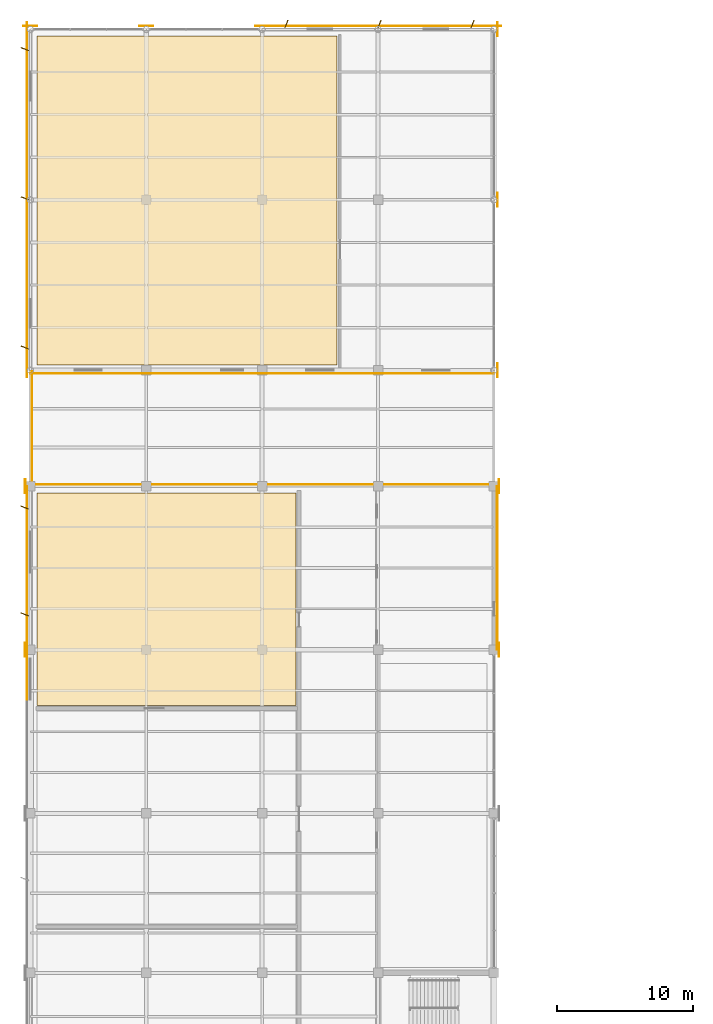
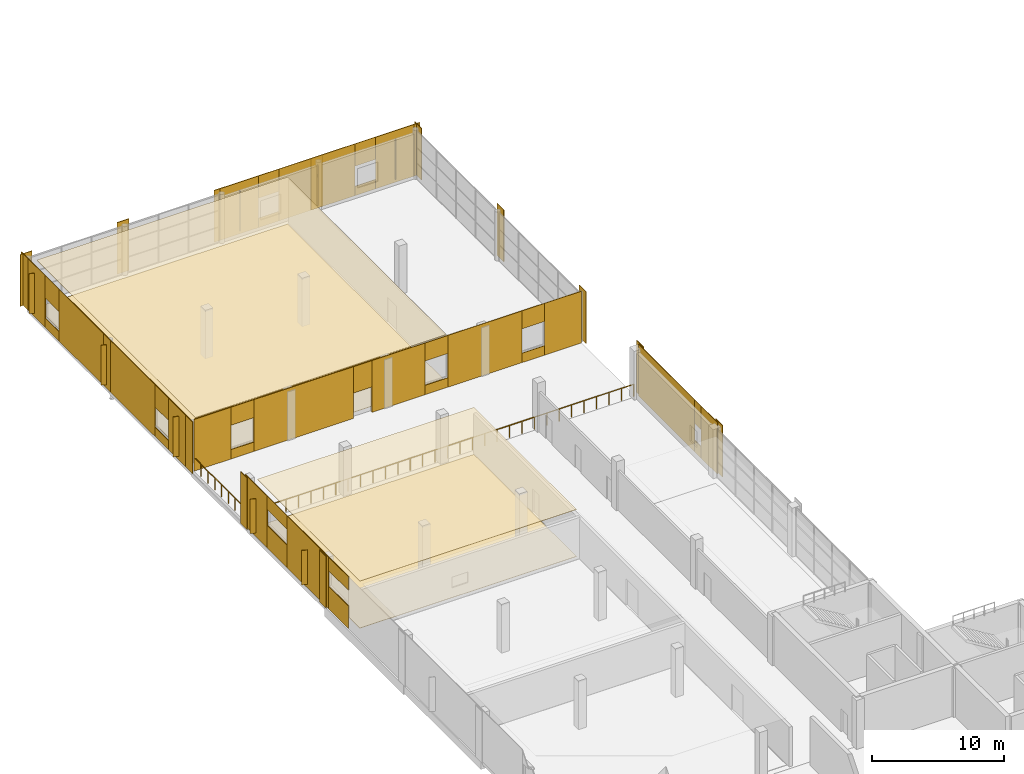
# One storey, part 97 of 101: 63 coverings, 1 railing.
"""IFC4 building model written with IfcOpenShell, lengths in metres."""

from ifc_helpers import new_model, si_unit, direction, frame, origin, origin_2d, place, context, subcontext, project, spatial, polyline, rectangle, circle, outline, extrude, material, layer, layer_set, type_object, element, save


model = new_model("IFC4")

# Units and contexts
model_context = context("Model", 3, precision=1e-05, world=origin(), true_north=direction((0.0, 1.0)))
body_context = subcontext(model_context, "Body", "Model", "MODEL_VIEW")
ifc_project = project(units=[si_unit("LENGTHUNIT", "METRE"), si_unit("AREAUNIT", "SQUARE_METRE"), si_unit("VOLUMEUNIT", "CUBIC_METRE"), si_unit("PLANEANGLEUNIT", "RADIAN"), si_unit("MASSUNIT", "GRAM", prefix="KILO")], contexts=[model_context])

# Site, building, storey
site_placement = place(None, origin())
site = spatial("IfcSite", under=ifc_project, at=site_placement, CompositionType="ELEMENT")
building_placement = place(site_placement, origin())
building = spatial("IfcBuilding", under=site, at=building_placement, Name="Solvikara Media Centre", CompositionType="ELEMENT")
storey_placement = place(building_placement, frame((0.0, 0.0, 10.199951171875)))
storey = spatial("IfcBuildingStorey", under=building, at=storey_placement, Name="L02", CompositionType="ELEMENT", Elevation=10.199951171875)

# Coverings
ifc_material_1 = material(Name="Perforated acoustic gypsum ceiling board")
ifc_layer_1 = layer(ifc_material_1, 0.0400390625)
ifc_layer_set_1 = layer_set([ifc_layer_1], Name="Perforated acoustic gypsum ceiling board")
covering_type_1 = type_object("IfcCoveringType", Name="CV-01", PredefinedType="CEILING", material=ifc_layer_set_1)
covering_1_placement = place(storey_placement, frame((0.0, 0.0, 4.35009765625)))
element("IfcCovering", 1, at=covering_1_placement, inside=storey, type_object=covering_type_1, Name="CLG-033", PredefinedType="CEILING", context=body_context, shape_type="SweptSolid", body=[
    extrude(outline(polyline([(0.5, 64.39990234375), (19.5, 64.39990234375), (19.5, 80.0), (0.5, 80.0), (0.5, 64.39990234375)])), origin(), (0.0, 0.0, 1.0), 0.0400390625),
])
covering_2_placement = place(storey_placement, frame((0.0, 0.0, 4.35009765625)))
element("IfcCovering", 2, at=covering_2_placement, inside=storey, type_object=covering_type_1, Name="CLG-035", PredefinedType="CEILING", context=body_context, shape_type="SweptSolid", body=[
    extrude(outline(polyline([(0.5, 89.39990234375), (22.5, 89.39990234375), (22.5, 113.5), (0.5, 113.5), (0.5, 89.39990234375)])), origin(), (0.0, 0.0, 1.0), 0.0400390625),
])
ifc_material_2 = material(Name="Polished terrazzo floor finish")
ifc_layer_2 = layer(ifc_material_2, 0.030029296875)
ifc_layer_set_2 = layer_set([ifc_layer_2], Name="Polished terrazzo floor finish")
covering_type_2 = type_object("IfcCoveringType", Name="CV-02", PredefinedType="FLOORING", material=ifc_layer_set_2)
covering_3_placement = place(storey_placement, origin())
element("IfcCovering", 3, at=covering_3_placement, inside=storey, type_object=covering_type_2, Name="FLR-033", PredefinedType="FLOORING", context=body_context, shape_type="SweptSolid", body=[
    extrude(outline(polyline([(0.5, 64.39990234375), (19.5, 64.39990234375), (19.5, 80.0), (0.5, 80.0), (0.5, 64.39990234375)])), origin(), (0.0, 0.0, 1.0), 0.030029296875),
])
covering_4_placement = place(storey_placement, origin())
element("IfcCovering", 4, at=covering_4_placement, inside=storey, type_object=covering_type_2, Name="FLR-035", PredefinedType="FLOORING", context=body_context, shape_type="SweptSolid", body=[
    extrude(outline(polyline([(0.5, 89.39990234375), (22.5, 89.39990234375), (22.5, 113.5), (0.5, 113.5), (0.5, 89.39990234375)])), origin(), (0.0, 0.0, 1.0), 0.030029296875),
])
ifc_material_3 = material(Name="GFRC white mineral architectural rainscreen panel")
ifc_layer_3 = layer(ifc_material_3, 0.050048828125)
ifc_layer_set_3 = layer_set([ifc_layer_3], Name="GFRC white mineral architectural rainscreen panel")
covering_type_3 = type_object("IfcCoveringType", Name="CV-04", PredefinedType="CLADDING", material=ifc_layer_set_3)
for number, where, z_axis, x_axis, name in (
    (5, (-0.375, 68.5, 0.0), (0.0, 0.0, 1.0), (0.0, -1.0, 0.0), "PIL-L02-027"),
    (6, (-0.375, 80.5, 0.0), (0.0, 0.0, 1.0), (0.0, -1.0, 0.0), "PIL-L02-031"),
    (7, (-0.25390625, 89.0, 0.0), (0.0, 0.0, 1.0), (0.0, -1.0, 0.0), "PIL-L02-035"),
    (8, (-0.25390625, 101.5, 0.0), (0.0, 0.0, 1.0), (0.0, -1.0, 0.0), "PIL-L02-038"),
    (9, (-0.25390625, 114.0, 0.0), (0.0, 0.0, 1.0), (0.0, -1.0, 0.0), "PIL-L02-044"),
    (10, (0.0, 114.25390625, 0.0), (0.0, 0.0, 1.0), (-1.0, 0.0, 0.0), "PIL-L02-045"),
    (11, (8.5, 114.25390625, 0.0), (0.0, 0.0, 1.0), (-1.0, 0.0, 0.0), "PIL-L02-053"),
    (12, (17.0, 114.25390625, 0.0), (0.0, 0.0, 1.0), (-1.0, 0.0, 0.0), "PIL-L02-060"),
    (13, (25.5, 114.25390625, 0.0), (0.0, 0.0, 1.0), (-1.0, 0.0, 0.0), "PIL-L02-067"),
    (14, (34.375, 68.5, 0.0), (0.0, 0.0, 1.0), (0.0, 1.0, 0.0), "PIL-L02-075"),
    (15, (34.375, 80.5, 0.0), (0.0, 0.0, 1.0), (0.0, 1.0, 0.0), "PIL-L02-079"),
    (16, (34.25390625, 89.0, 0.0), (0.0, 0.0, 1.0), (0.0, 1.0, 0.0), "PIL-L02-083"),
    (17, (34.25390625, 101.5, 0.0), (0.0, 0.0, 1.0), (0.0, 1.0, 0.0), "PIL-L02-086"),
    (18, (34.25390625, 114.0, 0.0), (0.0, 0.0, 1.0), (0.0, 1.0, 0.0), "PIL-L02-092"),
    (19, (34.0, 114.25390625, 0.0), (0.0, 0.0, 1.0), (-1.0, 0.0, 0.0), "PIL-L02-093"),
):
    element("IfcCovering", number, at=place(storey_placement, frame(where, z_axis=z_axis, x_axis=x_axis)), inside=storey, type_object=covering_type_3, Name=name, PredefinedType="CLADDING", context=body_context, shape_type="SweptSolid", body=[
        extrude(rectangle(XDim=1.0400390625, YDim=0.050048828125, at=origin_2d()), origin(), (0.0, 0.0, 1.0), 4.800048828125),
    ])
covering_5_placement = place(storey_placement, frame((-0.2451171875, 66.330078125, 0.0), z_axis=(0.0, 0.0, 1.0), x_axis=(0.0, 1.0, 0.0)))
element("IfcCovering", 20, at=covering_5_placement, inside=storey, type_object=covering_type_3, Name="L02-V4W-CV-S04", PredefinedType="CLADDING", context=body_context, shape_type="SweptSolid", body=[
    extrude(rectangle(XDim=3.0, YDim=0.050048828125, at=origin_2d()), origin(), (0.0, 0.0, 1.0), 2.090087890625),
])
covering_6_placement = place(storey_placement, frame((-0.2451171875, 66.330078125, 3.550048828125), z_axis=(0.0, 0.0, 1.0), x_axis=(0.0, 1.0, 0.0)))
element("IfcCovering", 21, at=covering_6_placement, inside=storey, type_object=covering_type_3, Name="L02-V4W-CV-H04", PredefinedType="CLADDING", context=body_context, shape_type="SweptSolid", body=[
    extrude(rectangle(XDim=3.0, YDim=0.050048828125, at=origin_2d()), origin(), (0.0, 0.0, 1.0), 1.25),
])
covering_7_placement = place(storey_placement, frame((-0.2451171875, 70.989990234375, 0.0), z_axis=(0.0, 0.0, 1.0), x_axis=(0.0, 1.0, 0.0)))
element("IfcCovering", 22, at=covering_7_placement, inside=storey, type_object=covering_type_3, Name="L02-V4W-CV-F05", PredefinedType="CLADDING", context=body_context, shape_type="SweptSolid", body=[
    extrude(rectangle(XDim=6.320068359375, YDim=0.050048828125, at=origin_2d()), origin(), (0.0, 0.0, 1.0), 4.800048828125),
])
covering_8_placement = place(storey_placement, frame((-0.425048828125, 71.10009765625, 0.35009765625), z_axis=(0.0, 0.0, 1.0), x_axis=(-0.930749810713, 0.3656566557, 0.0)))
element("IfcCovering", 23, at=covering_8_placement, inside=storey, type_object=covering_type_3, Name="L02-V4W-FIN-05", PredefinedType="CLADDING", context=body_context, shape_type="SweptSolid", body=[
    extrude(rectangle(XDim=0.60205078125, YDim=0.050048828125, at=origin_2d()), origin(), (0.0, 0.0, 1.0), 3.179931640625),
])
covering_9_placement = place(storey_placement, frame((-0.2451171875, 75.64990234375, 0.0), z_axis=(0.0, 0.0, 1.0), x_axis=(0.0, 1.0, 0.0)))
element("IfcCovering", 24, at=covering_9_placement, inside=storey, type_object=covering_type_3, Name="L02-V4W-CV-S06", PredefinedType="CLADDING", context=body_context, shape_type="SweptSolid", body=[
    extrude(rectangle(XDim=3.0, YDim=0.050048828125, at=origin_2d()), origin(), (0.0, 0.0, 1.0), 2.090087890625),
])
covering_10_placement = place(storey_placement, frame((-0.2451171875, 75.64990234375, 3.550048828125), z_axis=(0.0, 0.0, 1.0), x_axis=(0.0, 1.0, 0.0)))
element("IfcCovering", 25, at=covering_10_placement, inside=storey, type_object=covering_type_3, Name="L02-V4W-CV-H06", PredefinedType="CLADDING", context=body_context, shape_type="SweptSolid", body=[
    extrude(rectangle(XDim=3.0, YDim=0.050048828125, at=origin_2d()), origin(), (0.0, 0.0, 1.0), 1.25),
])
covering_11_placement = place(storey_placement, frame((-0.2451171875, 78.824951171875, 0.0), z_axis=(0.0, 0.0, 1.0), x_axis=(0.0, 1.0, 0.0)))
element("IfcCovering", 26, at=covering_11_placement, inside=storey, type_object=covering_type_3, Name="L02-V4W-CV-F07", PredefinedType="CLADDING", context=body_context, shape_type="SweptSolid", body=[
    extrude(rectangle(XDim=3.35009765625, YDim=0.050048828125, at=origin_2d()), origin(), (0.0, 0.0, 1.0), 4.800048828125),
])
covering_12_placement = place(storey_placement, frame((-0.425048828125, 78.93505859375, 0.35009765625), z_axis=(0.0, 0.0, 1.0), x_axis=(-0.930749810713, 0.3656566557, 0.0)))
element("IfcCovering", 27, at=covering_12_placement, inside=storey, type_object=covering_type_3, Name="L02-V4W-FIN-07", PredefinedType="CLADDING", context=body_context, shape_type="SweptSolid", body=[
    extrude(rectangle(XDim=0.60205078125, YDim=0.050048828125, at=origin_2d()), origin(), (0.0, 0.0, 1.0), 3.179931640625),
])
covering_13_placement = place(storey_placement, frame((34.2451171875, 69.75, 0.0), z_axis=(0.0, 0.0, 1.0), x_axis=(0.0, 1.0, 0.0)))
element("IfcCovering", 28, at=covering_13_placement, inside=storey, type_object=covering_type_3, Name="L02-V4E-CV-F01", PredefinedType="CLADDING", context=body_context, shape_type="SweptSolid", body=[
    extrude(rectangle(XDim=2.5, YDim=0.050048828125, at=origin_2d()), origin(), (0.0, 0.0, 1.0), 4.800048828125),
])
covering_14_placement = place(storey_placement, frame((34.2451171875, 71.5, 0.0), z_axis=(0.0, 0.0, 1.0), x_axis=(0.0, 1.0, 0.0)))
element("IfcCovering", 29, at=covering_14_placement, inside=storey, type_object=covering_type_3, Name="L02-V4E-CV-S02", PredefinedType="CLADDING", context=body_context, shape_type="SweptSolid", body=[
    extrude(rectangle(XDim=1.0, YDim=0.050048828125, at=origin_2d()), origin(), (0.0, 0.0, 1.0), 1.070068359375),
])
covering_15_placement = place(storey_placement, frame((34.2451171875, 71.5, 2.630126953125), z_axis=(0.0, 0.0, 1.0), x_axis=(0.0, 1.0, 0.0)))
element("IfcCovering", 30, at=covering_15_placement, inside=storey, type_object=covering_type_3, Name="L02-V4E-CV-H02", PredefinedType="CLADDING", context=body_context, shape_type="SweptSolid", body=[
    extrude(rectangle(XDim=1.0, YDim=0.050048828125, at=origin_2d()), origin(), (0.0, 0.0, 1.0), 2.169921875),
])
covering_16_placement = place(storey_placement, frame((34.2451171875, 76.25, 0.0), z_axis=(0.0, 0.0, 1.0), x_axis=(0.0, 1.0, 0.0)))
element("IfcCovering", 31, at=covering_16_placement, inside=storey, type_object=covering_type_3, Name="L02-V4E-CV-F03", PredefinedType="CLADDING", context=body_context, shape_type="SweptSolid", body=[
    extrude(rectangle(XDim=8.5, YDim=0.050048828125, at=origin_2d()), origin(), (0.0, 0.0, 1.0), 4.800048828125),
])
covering_17_placement = place(storey_placement, frame((-0.2451171875, 90.55908203125, 0.0), z_axis=(0.0, 0.0, 1.0), x_axis=(0.0, 1.0, 0.0)))
element("IfcCovering", 32, at=covering_17_placement, inside=storey, type_object=covering_type_3, Name="L02-V3W-CV-F01", PredefinedType="CLADDING", context=body_context, shape_type="SweptSolid", body=[
    extrude(rectangle(XDim=3.116943359375, YDim=0.050048828125, at=origin_2d()), origin(), (0.0, 0.0, 1.0), 4.800048828125),
])
covering_18_placement = place(storey_placement, frame((-0.39990234375, 90.66796875, 0.35009765625), z_axis=(0.0, 0.0, 1.0), x_axis=(-0.930749810713, 0.3656566557, 0.0)))
element("IfcCovering", 33, at=covering_18_placement, inside=storey, type_object=covering_type_3, Name="L02-V3W-FIN-01", PredefinedType="CLADDING", context=body_context, shape_type="SweptSolid", body=[
    extrude(rectangle(XDim=0.60205078125, YDim=0.050048828125, at=origin_2d()), origin(), (0.0, 0.0, 1.0), 3.697998046875),
])
covering_19_placement = place(storey_placement, frame((-0.2451171875, 93.1669921875, 0.0), z_axis=(0.0, 0.0, 1.0), x_axis=(0.0, 1.0, 0.0)))
element("IfcCovering", 34, at=covering_19_placement, inside=storey, type_object=covering_type_3, Name="L02-V3W-CV-S02", PredefinedType="CLADDING", context=body_context, shape_type="SweptSolid", body=[
    extrude(rectangle(XDim=2.10009765625, YDim=0.050048828125, at=origin_2d()), origin(), (0.0, 0.0, 1.0), 0.8701171875),
])
covering_20_placement = place(storey_placement, frame((-0.2451171875, 93.1669921875, 2.72998046875), z_axis=(0.0, 0.0, 1.0), x_axis=(0.0, 1.0, 0.0)))
element("IfcCovering", 35, at=covering_20_placement, inside=storey, type_object=covering_type_3, Name="L02-V3W-CV-H02", PredefinedType="CLADDING", context=body_context, shape_type="SweptSolid", body=[
    extrude(rectangle(XDim=2.10009765625, YDim=0.050048828125, at=origin_2d()), origin(), (0.0, 0.0, 1.0), 2.070068359375),
])
covering_21_placement = place(storey_placement, frame((-0.2451171875, 101.5, 0.0), z_axis=(0.0, 0.0, 1.0), x_axis=(0.0, 1.0, 0.0)))
element("IfcCovering", 36, at=covering_21_placement, inside=storey, type_object=covering_type_3, Name="L02-V3W-CV-F03", PredefinedType="CLADDING", context=body_context, shape_type="SweptSolid", body=[
    extrude(rectangle(XDim=14.56591796875, YDim=0.050048828125, at=origin_2d()), origin(), (0.0, 0.0, 1.0), 4.800048828125),
])
covering_22_placement = place(storey_placement, frame((-0.39990234375, 101.610107421875, 0.35009765625), z_axis=(0.0, 0.0, 1.0), x_axis=(-0.930749810713, 0.3656566557, 0.0)))
element("IfcCovering", 37, at=covering_22_placement, inside=storey, type_object=covering_type_3, Name="L02-V3W-FIN-03", PredefinedType="CLADDING", context=body_context, shape_type="SweptSolid", body=[
    extrude(rectangle(XDim=0.60205078125, YDim=0.050048828125, at=origin_2d()), origin(), (0.0, 0.0, 1.0), 3.697998046875),
])
covering_23_placement = place(storey_placement, frame((-0.2451171875, 109.8330078125, 0.0), z_axis=(0.0, 0.0, 1.0), x_axis=(0.0, 1.0, 0.0)))
element("IfcCovering", 38, at=covering_23_placement, inside=storey, type_object=covering_type_3, Name="L02-V3W-CV-S04", PredefinedType="CLADDING", context=body_context, shape_type="SweptSolid", body=[
    extrude(rectangle(XDim=2.10009765625, YDim=0.050048828125, at=origin_2d()), origin(), (0.0, 0.0, 1.0), 0.8701171875),
])
covering_24_placement = place(storey_placement, frame((-0.2451171875, 109.8330078125, 2.72998046875), z_axis=(0.0, 0.0, 1.0), x_axis=(0.0, 1.0, 0.0)))
element("IfcCovering", 39, at=covering_24_placement, inside=storey, type_object=covering_type_3, Name="L02-V3W-CV-H04", PredefinedType="CLADDING", context=body_context, shape_type="SweptSolid", body=[
    extrude(rectangle(XDim=2.10009765625, YDim=0.050048828125, at=origin_2d()), origin(), (0.0, 0.0, 1.0), 2.070068359375),
])
covering_25_placement = place(storey_placement, frame((-0.2451171875, 112.44091796875, 0.0), z_axis=(0.0, 0.0, 1.0), x_axis=(0.0, 1.0, 0.0)))
element("IfcCovering", 40, at=covering_25_placement, inside=storey, type_object=covering_type_3, Name="L02-V3W-CV-F05", PredefinedType="CLADDING", context=body_context, shape_type="SweptSolid", body=[
    extrude(rectangle(XDim=3.116943359375, YDim=0.050048828125, at=origin_2d()), origin(), (0.0, 0.0, 1.0), 4.800048828125),
])
covering_26_placement = place(storey_placement, frame((-0.39990234375, 112.551025390625, 0.35009765625), z_axis=(0.0, 0.0, 1.0), x_axis=(-0.930749810713, 0.3656566557, 0.0)))
element("IfcCovering", 41, at=covering_26_placement, inside=storey, type_object=covering_type_3, Name="L02-V3W-FIN-05", PredefinedType="CLADDING", context=body_context, shape_type="SweptSolid", body=[
    extrude(rectangle(XDim=0.60205078125, YDim=0.050048828125, at=origin_2d()), origin(), (0.0, 0.0, 1.0), 3.697998046875),
])
covering_27_placement = place(storey_placement, frame((18.675048828125, 114.2451171875, 0.0), z_axis=(0.0, 0.0, 1.0), x_axis=(1.0, 0.0, 0.0)))
element("IfcCovering", 42, at=covering_27_placement, inside=storey, type_object=covering_type_3, Name="L02-V3N-CV-F01", PredefinedType="CLADDING", context=body_context, shape_type="SweptSolid", body=[
    extrude(rectangle(XDim=3.35009765625, YDim=0.050048828125, at=origin_2d()), origin(), (0.0, 0.0, 1.0), 4.800048828125),
])
covering_28_placement = place(storey_placement, frame((18.784912109375, 114.39990234375, 0.35009765625), z_axis=(0.0, 0.0, 1.0), x_axis=(0.3656566557, 0.930749810713, 0.0)))
element("IfcCovering", 43, at=covering_28_placement, inside=storey, type_object=covering_type_3, Name="L02-V3N-FIN-01", PredefinedType="CLADDING", context=body_context, shape_type="SweptSolid", body=[
    extrude(rectangle(XDim=0.60205078125, YDim=0.050048828125, at=origin_2d()), origin(), (0.0, 0.0, 1.0), 3.66796875),
])
covering_29_placement = place(storey_placement, frame((21.25, 114.2451171875, 0.0), z_axis=(0.0, 0.0, 1.0), x_axis=(1.0, 0.0, 0.0)))
element("IfcCovering", 44, at=covering_29_placement, inside=storey, type_object=covering_type_3, Name="L02-V3N-CV-S02", PredefinedType="CLADDING", context=body_context, shape_type="SweptSolid", body=[
    extrude(rectangle(XDim=1.800048828125, YDim=0.050048828125, at=origin_2d()), origin(), (0.0, 0.0, 1.0), 0.8701171875),
])
covering_30_placement = place(storey_placement, frame((21.25, 114.2451171875, 2.72998046875), z_axis=(0.0, 0.0, 1.0), x_axis=(1.0, 0.0, 0.0)))
element("IfcCovering", 45, at=covering_30_placement, inside=storey, type_object=covering_type_3, Name="L02-V3N-CV-H02", PredefinedType="CLADDING", context=body_context, shape_type="SweptSolid", body=[
    extrude(rectangle(XDim=1.800048828125, YDim=0.050048828125, at=origin_2d()), origin(), (0.0, 0.0, 1.0), 2.070068359375),
])
covering_31_placement = place(storey_placement, frame((25.5, 114.2451171875, 0.0), z_axis=(0.0, 0.0, 1.0), x_axis=(1.0, 0.0, 0.0)))
element("IfcCovering", 46, at=covering_31_placement, inside=storey, type_object=covering_type_3, Name="L02-V3N-CV-F03", PredefinedType="CLADDING", context=body_context, shape_type="SweptSolid", body=[
    extrude(rectangle(XDim=6.699951171875, YDim=0.050048828125, at=origin_2d()), origin(), (0.0, 0.0, 1.0), 4.800048828125),
])
covering_32_placement = place(storey_placement, frame((25.610107421875, 114.39990234375, 0.35009765625), z_axis=(0.0, 0.0, 1.0), x_axis=(0.3656566557, 0.930749810713, 0.0)))
element("IfcCovering", 47, at=covering_32_placement, inside=storey, type_object=covering_type_3, Name="L02-V3N-FIN-03", PredefinedType="CLADDING", context=body_context, shape_type="SweptSolid", body=[
    extrude(rectangle(XDim=0.60205078125, YDim=0.050048828125, at=origin_2d()), origin(), (0.0, 0.0, 1.0), 3.66796875),
])
covering_33_placement = place(storey_placement, frame((29.75, 114.2451171875, 0.0), z_axis=(0.0, 0.0, 1.0), x_axis=(1.0, 0.0, 0.0)))
element("IfcCovering", 48, at=covering_33_placement, inside=storey, type_object=covering_type_3, Name="L02-V3N-CV-S04", PredefinedType="CLADDING", context=body_context, shape_type="SweptSolid", body=[
    extrude(rectangle(XDim=1.800048828125, YDim=0.050048828125, at=origin_2d()), origin(), (0.0, 0.0, 1.0), 0.8701171875),
])
covering_34_placement = place(storey_placement, frame((29.75, 114.2451171875, 2.72998046875), z_axis=(0.0, 0.0, 1.0), x_axis=(1.0, 0.0, 0.0)))
element("IfcCovering", 49, at=covering_34_placement, inside=storey, type_object=covering_type_3, Name="L02-V3N-CV-H04", PredefinedType="CLADDING", context=body_context, shape_type="SweptSolid", body=[
    extrude(rectangle(XDim=1.800048828125, YDim=0.050048828125, at=origin_2d()), origin(), (0.0, 0.0, 1.0), 2.070068359375),
])
covering_35_placement = place(storey_placement, frame((32.324951171875, 114.2451171875, 0.0), z_axis=(0.0, 0.0, 1.0), x_axis=(1.0, 0.0, 0.0)))
element("IfcCovering", 50, at=covering_35_placement, inside=storey, type_object=covering_type_3, Name="L02-V3N-CV-F05", PredefinedType="CLADDING", context=body_context, shape_type="SweptSolid", body=[
    extrude(rectangle(XDim=3.35009765625, YDim=0.050048828125, at=origin_2d()), origin(), (0.0, 0.0, 1.0), 4.800048828125),
])
covering_36_placement = place(storey_placement, frame((32.43505859375, 114.39990234375, 0.35009765625), z_axis=(0.0, 0.0, 1.0), x_axis=(0.3656566557, 0.930749810713, 0.0)))
element("IfcCovering", 51, at=covering_36_placement, inside=storey, type_object=covering_type_3, Name="L02-V3N-FIN-05", PredefinedType="CLADDING", context=body_context, shape_type="SweptSolid", body=[
    extrude(rectangle(XDim=0.60205078125, YDim=0.050048828125, at=origin_2d()), origin(), (0.0, 0.0, 1.0), 3.66796875),
])
covering_37_placement = place(storey_placement, frame((1.625, 88.7548828125, 0.0), z_axis=(0.0, 0.0, 1.0), x_axis=(1.0, 0.0, 0.0)))
element("IfcCovering", 52, at=covering_37_placement, inside=storey, type_object=covering_type_3, Name="L02-V3S-CV-F01", PredefinedType="CLADDING", context=body_context, shape_type="SweptSolid", body=[
    extrude(rectangle(XDim=3.25, YDim=0.050048828125, at=origin_2d()), origin(), (0.0, 0.0, 1.0), 4.800048828125),
])
covering_38_placement = place(storey_placement, frame((4.25, 88.7548828125, 0.0), z_axis=(0.0, 0.0, 1.0), x_axis=(1.0, 0.0, 0.0)))
element("IfcCovering", 53, at=covering_38_placement, inside=storey, type_object=covering_type_3, Name="L02-V3S-CV-S02", PredefinedType="CLADDING", context=body_context, shape_type="SweptSolid", body=[
    extrude(rectangle(XDim=2.0, YDim=0.050048828125, at=origin_2d()), origin(), (0.0, 0.0, 1.0), 0.8701171875),
])
covering_39_placement = place(storey_placement, frame((4.25, 88.7548828125, 3.130126953125), z_axis=(0.0, 0.0, 1.0), x_axis=(1.0, 0.0, 0.0)))
element("IfcCovering", 54, at=covering_39_placement, inside=storey, type_object=covering_type_3, Name="L02-V3S-CV-H02", PredefinedType="CLADDING", context=body_context, shape_type="SweptSolid", body=[
    extrude(rectangle(XDim=2.0, YDim=0.050048828125, at=origin_2d()), origin(), (0.0, 0.0, 1.0), 1.669921875),
])
covering_40_placement = place(storey_placement, frame((9.625, 88.7548828125, 0.0), z_axis=(0.0, 0.0, 1.0), x_axis=(1.0, 0.0, 0.0)))
element("IfcCovering", 55, at=covering_40_placement, inside=storey, type_object=covering_type_3, Name="L02-V3S-CV-F03", PredefinedType="CLADDING", context=body_context, shape_type="SweptSolid", body=[
    extrude(rectangle(XDim=8.75, YDim=0.050048828125, at=origin_2d()), origin(), (0.0, 0.0, 1.0), 4.800048828125),
])
covering_41_placement = place(storey_placement, frame((14.800048828125, 88.7548828125, 2.35009765625), z_axis=(0.0, 0.0, 1.0), x_axis=(1.0, 0.0, 0.0)))
element("IfcCovering", 56, at=covering_41_placement, inside=storey, type_object=covering_type_3, Name="L02-V3S-CV-D04", PredefinedType="CLADDING", context=body_context, shape_type="SweptSolid", body=[
    extrude(rectangle(XDim=1.60009765625, YDim=0.050048828125, at=origin_2d()), origin(), (0.0, 0.0, 1.0), 2.449951171875),
])
covering_42_placement = place(storey_placement, frame((17.925048828125, 88.7548828125, 0.0), z_axis=(0.0, 0.0, 1.0), x_axis=(1.0, 0.0, 0.0)))
element("IfcCovering", 57, at=covering_42_placement, inside=storey, type_object=covering_type_3, Name="L02-V3S-CV-F05", PredefinedType="CLADDING", context=body_context, shape_type="SweptSolid", body=[
    extrude(rectangle(XDim=4.64990234375, YDim=0.050048828125, at=origin_2d()), origin(), (0.0, 0.0, 1.0), 4.800048828125),
])
covering_43_placement = place(storey_placement, frame((21.25, 88.7548828125, 0.0), z_axis=(0.0, 0.0, 1.0), x_axis=(1.0, 0.0, 0.0)))
element("IfcCovering", 58, at=covering_43_placement, inside=storey, type_object=covering_type_3, Name="L02-V3S-CV-S06", PredefinedType="CLADDING", context=body_context, shape_type="SweptSolid", body=[
    extrude(rectangle(XDim=2.0, YDim=0.050048828125, at=origin_2d()), origin(), (0.0, 0.0, 1.0), 0.8701171875),
])
covering_44_placement = place(storey_placement, frame((21.25, 88.7548828125, 3.130126953125), z_axis=(0.0, 0.0, 1.0), x_axis=(1.0, 0.0, 0.0)))
element("IfcCovering", 59, at=covering_44_placement, inside=storey, type_object=covering_type_3, Name="L02-V3S-CV-H06", PredefinedType="CLADDING", context=body_context, shape_type="SweptSolid", body=[
    extrude(rectangle(XDim=2.0, YDim=0.050048828125, at=origin_2d()), origin(), (0.0, 0.0, 1.0), 1.669921875),
])
covering_45_placement = place(storey_placement, frame((25.5, 88.7548828125, 0.0), z_axis=(0.0, 0.0, 1.0), x_axis=(1.0, 0.0, 0.0)))
element("IfcCovering", 60, at=covering_45_placement, inside=storey, type_object=covering_type_3, Name="L02-V3S-CV-F07", PredefinedType="CLADDING", context=body_context, shape_type="SweptSolid", body=[
    extrude(rectangle(XDim=6.5, YDim=0.050048828125, at=origin_2d()), origin(), (0.0, 0.0, 1.0), 4.800048828125),
])
covering_46_placement = place(storey_placement, frame((29.75, 88.7548828125, 0.0), z_axis=(0.0, 0.0, 1.0), x_axis=(1.0, 0.0, 0.0)))
element("IfcCovering", 61, at=covering_46_placement, inside=storey, type_object=covering_type_3, Name="L02-V3S-CV-S08", PredefinedType="CLADDING", context=body_context, shape_type="SweptSolid", body=[
    extrude(rectangle(XDim=2.0, YDim=0.050048828125, at=origin_2d()), origin(), (0.0, 0.0, 1.0), 0.8701171875),
])
covering_47_placement = place(storey_placement, frame((29.75, 88.7548828125, 3.130126953125), z_axis=(0.0, 0.0, 1.0), x_axis=(1.0, 0.0, 0.0)))
element("IfcCovering", 62, at=covering_47_placement, inside=storey, type_object=covering_type_3, Name="L02-V3S-CV-H08", PredefinedType="CLADDING", context=body_context, shape_type="SweptSolid", body=[
    extrude(rectangle(XDim=2.0, YDim=0.050048828125, at=origin_2d()), origin(), (0.0, 0.0, 1.0), 1.669921875),
])
covering_48_placement = place(storey_placement, frame((32.375, 88.7548828125, 0.0), z_axis=(0.0, 0.0, 1.0), x_axis=(1.0, 0.0, 0.0)))
element("IfcCovering", 63, at=covering_48_placement, inside=storey, type_object=covering_type_3, Name="L02-V3S-CV-F09", PredefinedType="CLADDING", context=body_context, shape_type="SweptSolid", body=[
    extrude(rectangle(XDim=3.25, YDim=0.050048828125, at=origin_2d()), origin(), (0.0, 0.0, 1.0), 4.800048828125),
])

# Railing
ifc_material_4 = material(Name="Steel S355JR", Category="steel")
railing_type = type_object("IfcRailingType", Name="GR-01", PredefinedType="GUARDRAIL", material=ifc_material_4)
railing_placement = place(storey_placement, frame((0.1201171875, 88.89990234375, 0.0)))
element("IfcRailing", 64, at=railing_placement, inside=storey, type_object=railing_type, Name="GR-TER-L02", PredefinedType="GUARDRAIL", context=body_context, shape_type="SweptSolid", body=[
    extrude(circle(Radius=0.02392578125, at=origin_2d()), frame((0.0, 0.0, 1.1259765625), z_axis=(0.0, -1.0, 0.0), x_axis=(1.0, 0.0, 0.0)), (0.0, 0.0, 1.0), 8.27978515625),
    extrude(circle(Radius=0.02392578125, at=origin_2d()), frame((0.0, -8.27978515625, 1.1259765625), z_axis=(1.0, 0.0, 0.0), x_axis=(0.0, 1.0, 0.0)), (0.0, 0.0, 1.0), 33.759765625),
    extrude(circle(Radius=0.02099609375, at=origin_2d()), origin(), (0.0, 0.0, 1.0), 1.101806640625),
    extrude(circle(Radius=0.02099609375, at=origin_2d()), frame((0.0, -1.034912109375, 0.0)), (0.0, 0.0, 1.0), 1.101806640625),
    extrude(circle(Radius=0.02099609375, at=origin_2d()), frame((0.0, -2.06982421875, 0.0)), (0.0, 0.0, 1.0), 1.101806640625),
    extrude(circle(Radius=0.02099609375, at=origin_2d()), frame((0.0, -3.10498046875, 0.0)), (0.0, 0.0, 1.0), 1.101806640625),
    extrude(circle(Radius=0.02099609375, at=origin_2d()), frame((0.0, -4.139892578125, 0.0)), (0.0, 0.0, 1.0), 1.101806640625),
    extrude(circle(Radius=0.02099609375, at=origin_2d()), frame((0.0, -5.1748046875, 0.0)), (0.0, 0.0, 1.0), 1.101806640625),
    extrude(circle(Radius=0.02099609375, at=origin_2d()), frame((0.0, -6.2099609375, 0.0)), (0.0, 0.0, 1.0), 1.101806640625),
    extrude(circle(Radius=0.02099609375, at=origin_2d()), frame((0.0, -7.244873046875, 0.0)), (0.0, 0.0, 1.0), 1.101806640625),
    extrude(circle(Radius=0.02099609375, at=origin_2d()), frame((0.0, -8.27978515625, 0.0)), (0.0, 0.0, 1.0), 1.101806640625),
    extrude(circle(Radius=0.02099609375, at=origin_2d()), frame((1.089111328125, -8.27978515625, 0.0)), (0.0, 0.0, 1.0), 1.101806640625),
    extrude(circle(Radius=0.02099609375, at=origin_2d()), frame((2.177978515625, -8.27978515625, 0.0)), (0.0, 0.0, 1.0), 1.101806640625),
    extrude(circle(Radius=0.02099609375, at=origin_2d()), frame((3.26708984375, -8.27978515625, 0.0)), (0.0, 0.0, 1.0), 1.101806640625),
    extrude(circle(Radius=0.02099609375, at=origin_2d()), frame((4.356201171875, -8.27978515625, 0.0)), (0.0, 0.0, 1.0), 1.101806640625),
    extrude(circle(Radius=0.02099609375, at=origin_2d()), frame((5.445068359375, -8.27978515625, 0.0)), (0.0, 0.0, 1.0), 1.101806640625),
    extrude(circle(Radius=0.02099609375, at=origin_2d()), frame((6.5341796875, -8.27978515625, 0.0)), (0.0, 0.0, 1.0), 1.101806640625),
    extrude(circle(Radius=0.02099609375, at=origin_2d()), frame((7.623291015625, -8.27978515625, 0.0)), (0.0, 0.0, 1.0), 1.101806640625),
    extrude(circle(Radius=0.02099609375, at=origin_2d()), frame((8.712158203125, -8.27978515625, 0.0)), (0.0, 0.0, 1.0), 1.101806640625),
    extrude(circle(Radius=0.02099609375, at=origin_2d()), frame((9.80126953125, -8.27978515625, 0.0)), (0.0, 0.0, 1.0), 1.101806640625),
    extrude(circle(Radius=0.02099609375, at=origin_2d()), frame((10.89013671875, -8.27978515625, 0.0)), (0.0, 0.0, 1.0), 1.101806640625),
    extrude(circle(Radius=0.02099609375, at=origin_2d()), frame((11.979248046875, -8.27978515625, 0.0)), (0.0, 0.0, 1.0), 1.101806640625),
    extrude(circle(Radius=0.02099609375, at=origin_2d()), frame((13.068359375, -8.27978515625, 0.0)), (0.0, 0.0, 1.0), 1.101806640625),
    extrude(circle(Radius=0.02099609375, at=origin_2d()), frame((14.1572265625, -8.27978515625, 0.0)), (0.0, 0.0, 1.0), 1.101806640625),
    extrude(circle(Radius=0.02099609375, at=origin_2d()), frame((15.246337890625, -8.27978515625, 0.0)), (0.0, 0.0, 1.0), 1.101806640625),
    extrude(circle(Radius=0.02099609375, at=origin_2d()), frame((16.33544921875, -8.27978515625, 0.0)), (0.0, 0.0, 1.0), 1.101806640625),
    extrude(circle(Radius=0.02099609375, at=origin_2d()), frame((17.42431640625, -8.27978515625, 0.0)), (0.0, 0.0, 1.0), 1.101806640625),
    extrude(circle(Radius=0.02099609375, at=origin_2d()), frame((18.513427734375, -8.27978515625, 0.0)), (0.0, 0.0, 1.0), 1.101806640625),
    extrude(circle(Radius=0.02099609375, at=origin_2d()), frame((19.6025390625, -8.27978515625, 0.0)), (0.0, 0.0, 1.0), 1.101806640625),
    extrude(circle(Radius=0.02099609375, at=origin_2d()), frame((20.69140625, -8.27978515625, 0.0)), (0.0, 0.0, 1.0), 1.101806640625),
    extrude(circle(Radius=0.02099609375, at=origin_2d()), frame((21.780517578125, -8.27978515625, 0.0)), (0.0, 0.0, 1.0), 1.101806640625),
    extrude(circle(Radius=0.02099609375, at=origin_2d()), frame((22.86962890625, -8.27978515625, 0.0)), (0.0, 0.0, 1.0), 1.101806640625),
    extrude(circle(Radius=0.02099609375, at=origin_2d()), frame((23.95849609375, -8.27978515625, 0.0)), (0.0, 0.0, 1.0), 1.101806640625),
    extrude(circle(Radius=0.02099609375, at=origin_2d()), frame((25.047607421875, -8.27978515625, 0.0)), (0.0, 0.0, 1.0), 1.101806640625),
    extrude(circle(Radius=0.02099609375, at=origin_2d()), frame((26.136474609375, -8.27978515625, 0.0)), (0.0, 0.0, 1.0), 1.101806640625),
    extrude(circle(Radius=0.02099609375, at=origin_2d()), frame((27.2255859375, -8.27978515625, 0.0)), (0.0, 0.0, 1.0), 1.101806640625),
    extrude(circle(Radius=0.02099609375, at=origin_2d()), frame((28.314697265625, -8.27978515625, 0.0)), (0.0, 0.0, 1.0), 1.101806640625),
    extrude(circle(Radius=0.02099609375, at=origin_2d()), frame((29.403564453125, -8.27978515625, 0.0)), (0.0, 0.0, 1.0), 1.101806640625),
    extrude(circle(Radius=0.02099609375, at=origin_2d()), frame((30.49267578125, -8.27978515625, 0.0)), (0.0, 0.0, 1.0), 1.101806640625),
    extrude(circle(Radius=0.02099609375, at=origin_2d()), frame((31.581787109375, -8.27978515625, 0.0)), (0.0, 0.0, 1.0), 1.101806640625),
    extrude(circle(Radius=0.02099609375, at=origin_2d()), frame((32.670654296875, -8.27978515625, 0.0)), (0.0, 0.0, 1.0), 1.101806640625),
    extrude(circle(Radius=0.02099609375, at=origin_2d()), frame((33.759765625, -8.27978515625, 0.0)), (0.0, 0.0, 1.0), 1.101806640625),
])

save(model, "model.ifc")
